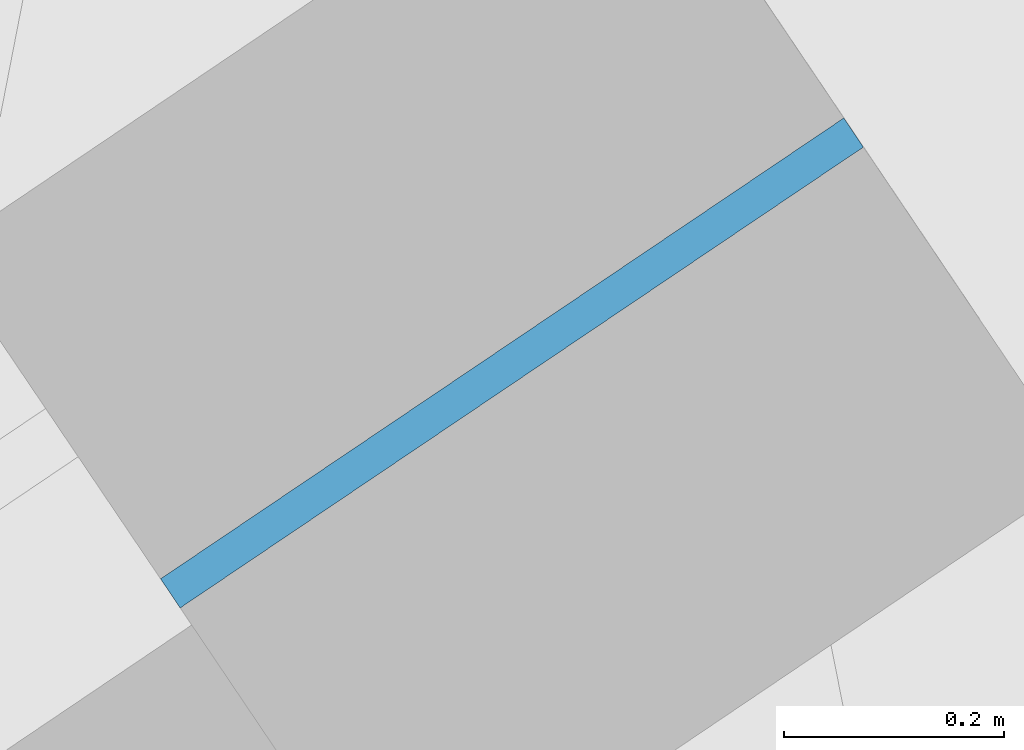
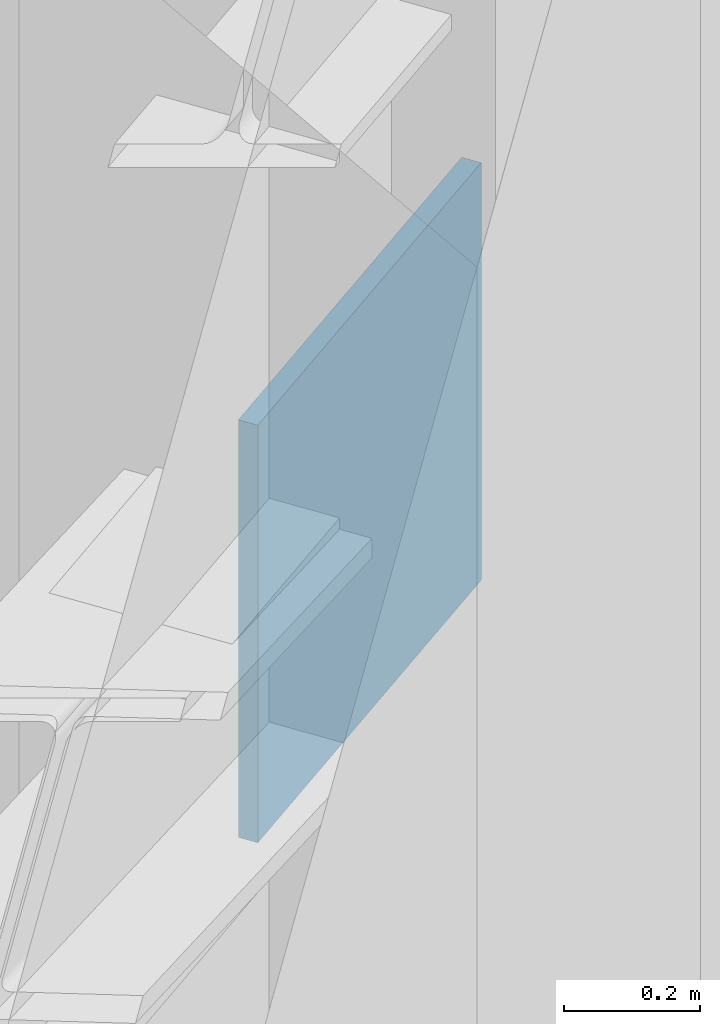
# One storey, part 12 of 21: 1 plate.
"""IFC4 building model written with IfcOpenShell, lengths in metres."""

import ifcopenshell
import ifcopenshell.guid

model = None  # the IFC model being written
_history = None  # IfcOwnerHistory: only IFC2X3 demands one
_inside = {}  # id of a spatial element -> (the spatial element, [elements in it])
_under = {}  # id of a project, library or spatial element -> (it, [spatial elements below it])
_declared = {}  # id of a project -> (the project, [libraries it declares])
_typed = {}  # id of a type object -> (the type object, [elements of that type])
_made_of = {}  # id of a material, layer set ... -> (it, [elements and type objects made of it])


def new_model(schema):
    """Start an empty IFC model of exactly this schema.

    Asked for "IFC4X3", IfcOpenShell would pick the latest addendum, in which some entities
    have other attributes; the version numbers below select the first issue.
    IFC2X3 requires an IfcOwnerHistory on every rooted entity: one is made here for all.
    """
    global model, _history
    if schema == "IFC4X3":
        model = ifcopenshell.file(schema_version=(4, 3, 0, 0))
    else:
        model = ifcopenshell.file(schema=schema)
    _inside.clear()
    _under.clear()
    _declared.clear()
    _typed.clear()
    _made_of.clear()
    _history = None
    if model.schema == "IFC2X3":
        org = make("IfcOrganization", Name="unknown")
        user = make(
            "IfcPersonAndOrganization",
            ThePerson=make("IfcPerson", FamilyName="unknown"),
            TheOrganization=org,
        )
        app = make(
            "IfcApplication",
            ApplicationDeveloper=org,
            Version="unknown",
            ApplicationFullName="unknown",
            ApplicationIdentifier="unknown",
        )
        _history = make(
            "IfcOwnerHistory",
            OwningUser=user,
            OwningApplication=app,
            ChangeAction="ADDED",
            CreationDate=0,
        )
    return model


def make(cls, **values):
    """One entity of the class cls with the attributes given. An attribute that is None is left unset."""
    return model.create_entity(
        cls, **{name: value for name, value in values.items() if value is not None}
    )


def rooted(cls, **values):
    """An entity with a GlobalId (a new one), such as an element, a storey or a relation."""
    return make(cls, GlobalId=ifcopenshell.guid.new(), OwnerHistory=_history, **values)


def si_unit(unit_type, name, prefix=None):
    """IfcSIUnit, for example si_unit("LENGTHUNIT", "METRE", prefix="MILLI")."""
    return make("IfcSIUnit", UnitType=unit_type, Prefix=prefix, Name=name)


def assignment(units):
    """IfcUnitAssignment: the units of a project."""
    return None if units is None else make("IfcUnitAssignment", Units=units)


def point(xyz):
    """IfcCartesianPoint."""
    return None if xyz is None else make("IfcCartesianPoint", Coordinates=xyz)


def direction(xyz):
    """IfcDirection."""
    return None if xyz is None else make("IfcDirection", DirectionRatios=xyz)


def frame(location, z_axis=None, x_axis=None):
    """IfcAxis2Placement3D, a coordinate frame: its origin and axes. An axis left out is left unset."""
    return make(
        "IfcAxis2Placement3D",
        Location=point(location),
        Axis=direction(z_axis),
        RefDirection=direction(x_axis),
    )


def frame_2d(location, x_axis=None):
    """IfcAxis2Placement2D, a coordinate frame in the plane: its origin and x axis."""
    return make(
        "IfcAxis2Placement2D", Location=point(location), RefDirection=direction(x_axis)
    )


def origin():
    """The frame at (0, 0, 0) with its axes left unset."""
    return frame((0.0, 0.0, 0.0))


def origin_2d():
    """The frame at (0, 0) in the plane with its x axis left unset."""
    return frame_2d((0.0, 0.0))


def place(relative_to, where):
    """IfcLocalPlacement: puts the frame where relative to a parent placement (None: the world)."""
    return make(
        "IfcLocalPlacement", PlacementRelTo=relative_to, RelativePlacement=where
    )


def context(
    kind, dimensions, precision=None, world=None, true_north=None, identifier=None
):
    """IfcGeometricRepresentationContext, for example the 3D "Model" context."""
    return make(
        "IfcGeometricRepresentationContext",
        ContextIdentifier=identifier,
        ContextType=kind,
        CoordinateSpaceDimension=dimensions,
        Precision=precision,
        WorldCoordinateSystem=world,
        TrueNorth=true_north,
    )


def subcontext(parent, identifier, kind, view, scale=None):
    """IfcGeometricRepresentationSubContext, for example "Body" below "Model"."""
    return make(
        "IfcGeometricRepresentationSubContext",
        ContextIdentifier=identifier,
        ContextType=kind,
        ParentContext=parent,
        TargetScale=scale,
        TargetView=view,
    )


def project(units=None, contexts=None):
    """IfcProject with its units and contexts."""
    return rooted(
        "IfcProject",
        Name="project",
        RepresentationContexts=contexts,
        UnitsInContext=assignment(units),
    )


def spatial(cls, under=None, at=None, **own):
    """A site, building, storey or space (cls), placed at a placement, below another one or the project."""
    s = rooted(cls, ObjectPlacement=at, **own)
    if under is not None:
        _under.setdefault(under.id(), (under, []))[1].append(s)
    return s


def profile(cls, at=None, kind="AREA", **sizes):
    """A parametric profile (cls). Its sizes go by their IFC names, for example OverallWidth=200.0."""
    return make(cls, ProfileType=kind, Position=at, **sizes)


def rectangle(**sizes):
    """IfcRectangleProfileDef."""
    return profile("IfcRectangleProfileDef", **sizes)


def extrude(swept, where, along, depth):
    """IfcExtrudedAreaSolid: the profile swept, set in the frame where, extruded along a direction by depth."""
    return make(
        "IfcExtrudedAreaSolid",
        SweptArea=swept,
        Position=where,
        ExtrudedDirection=direction(along),
        Depth=depth,
    )


def shape(context_of_items, identifier, shape_type, items):
    """IfcShapeRepresentation: the items that make up one representation, for example the "Body"."""
    return make(
        "IfcShapeRepresentation",
        ContextOfItems=context_of_items,
        RepresentationIdentifier=identifier,
        RepresentationType=shape_type,
        Items=items,
    )


def source(mapping_origin, context_of_items, identifier, shape_type, items):
    """IfcRepresentationMap: a shape defined once, which mapped items show again and again."""
    return make(
        "IfcRepresentationMap",
        MappingOrigin=mapping_origin,
        MappedRepresentation=shape(context_of_items, identifier, shape_type, items),
    )


def transform(
    local_origin,
    x_axis=None,
    y_axis=None,
    z_axis=None,
    scale=None,
    scale2=None,
    scale3=None,
    uniform=True,
):
    """IfcCartesianTransformationOperator3D, or its non-uniform kind. x_axis, y_axis, z_axis: its Axis1, 2, 3."""
    if uniform:
        return make(
            "IfcCartesianTransformationOperator3D",
            Axis1=direction(x_axis),
            Axis2=direction(y_axis),
            LocalOrigin=point(local_origin),
            Scale=scale,
            Axis3=direction(z_axis),
        )
    return make(
        "IfcCartesianTransformationOperator3DnonUniform",
        Axis1=direction(x_axis),
        Axis2=direction(y_axis),
        LocalOrigin=point(local_origin),
        Scale=scale,
        Axis3=direction(z_axis),
        Scale2=scale2,
        Scale3=scale3,
    )


def mapped(mapping_source, mapping_target):
    """IfcMappedItem: shows the shape of a source again, moved by a transform."""
    return make(
        "IfcMappedItem", MappingSource=mapping_source, MappingTarget=mapping_target
    )


def material(Name=None, Category=None):
    """IfcMaterial."""
    return make("IfcMaterial", Name=Name, Category=Category)


def layer(
    of_material, thickness, ventilated=None, Name=None, Category=None, Priority=None
):
    """IfcMaterialLayer: one layer of a wall or slab, of a material (None: an air gap)."""
    return make(
        "IfcMaterialLayer",
        Material=of_material,
        LayerThickness=thickness,
        IsVentilated=ventilated,
        Name=Name,
        Category=Category,
        Priority=Priority,
    )


def layer_set(layers, Name=None):
    """IfcMaterialLayerSet."""
    return make("IfcMaterialLayerSet", MaterialLayers=layers, LayerSetName=Name)


def made_of(thing, what):
    """Note that an element or type object is made of a material, layer set ...; save() writes the relation."""
    if what is not None:
        _made_of.setdefault(what.id(), (what, []))[1].append(thing)
    return thing


def type_object(cls, material=None, **own):
    """A type object (cls), such as IfcWallType, which elements share."""
    return made_of(rooted(cls, **own), material)


def element(
    cls,
    number,
    at=None,
    inside=None,
    cuts=None,
    type_object=None,
    material=None,
    context=None,
    identifier="Body",
    shape_type=None,
    held_by="IfcProductDefinitionShape",
    body=None,
    shapes=None,
    **own,
):
    """One element of the class cls, such as IfcWall. Its Tag is "e" and its number.

    at: its placement. inside: the storey or other place that contains it. cuts: it is an
    opening in that element (IfcRelVoidsElement). A single representation is given by context,
    identifier, shape_type and body (its items); several are given by shapes. held_by: the class
    of the entity that holds the representations. save() writes the other relations.
    """
    e = rooted(cls, Tag="e%d" % number, ObjectPlacement=at, **own)
    if body is not None:
        shapes = [shape(context, identifier, shape_type, body)]
    if shapes is not None:
        e.Representation = make(held_by, Representations=shapes)
    if inside is not None:
        _inside.setdefault(inside.id(), (inside, []))[1].append(e)
    if cuts is not None:
        rooted(
            "IfcRelVoidsElement", RelatingBuildingElement=cuts, RelatedOpeningElement=e
        )
    if type_object is not None:
        _typed.setdefault(type_object.id(), (type_object, []))[1].append(e)
    return made_of(e, material)


def aggregate(whole, parts):
    """IfcRelAggregates: a whole, such as a stair, and the parts it consists of."""
    return rooted("IfcRelAggregates", RelatingObject=whole, RelatedObjects=parts)


def save(model, path):
    """Write the relations noted so far, then the file.

    IfcRelAggregates (storeys below a building ...), IfcRelContainedInSpatialStructure (elements
    in a storey), IfcRelDefinesByType, IfcRelAssociatesMaterial and IfcRelDeclares: one each for
    every whole, place, type object, material and project.
    """
    for whole, parts in _under.values():
        aggregate(whole, parts)
    for where, things in _inside.values():
        rooted(
            "IfcRelContainedInSpatialStructure",
            RelatedElements=things,
            RelatingStructure=where,
        )
    for kind, things in _typed.values():
        rooted("IfcRelDefinesByType", RelatedObjects=things, RelatingType=kind)
    for what, things in _made_of.values():
        rooted("IfcRelAssociatesMaterial", RelatedObjects=things, RelatingMaterial=what)
    for by, libraries in _declared.values():
        rooted("IfcRelDeclares", RelatingContext=by, RelatedDefinitions=libraries)
    model.write(path)


model = new_model("IFC4")

# Units and contexts
model_context = context("Model", 3, precision=1e-05, world=origin(), true_north=direction((0.0, 1.0)))
body_context = subcontext(model_context, "Body", "Model", "MODEL_VIEW")
ifc_project = project(units=[si_unit("LENGTHUNIT", "METRE"), si_unit("AREAUNIT", "SQUARE_METRE"), si_unit("VOLUMEUNIT", "CUBIC_METRE"), si_unit("PLANEANGLEUNIT", "RADIAN"), si_unit("MASSUNIT", "GRAM", prefix="KILO"), si_unit("THERMODYNAMICTEMPERATUREUNIT", "KELVIN")], contexts=[model_context])

# Site, building, storey
site_placement = place(None, origin())
site = spatial("IfcSite", under=ifc_project, at=site_placement, CompositionType="ELEMENT")
building_placement = place(site_placement, origin())
building = spatial("IfcBuilding", under=site, at=building_placement, Name="Kosmvard Interchange Tower", CompositionType="ELEMENT")
storey_placement = place(building_placement, frame((0.0, 0.0, 139.199951171875)))
storey = spatial("IfcBuildingStorey", under=building, at=storey_placement, Name="L33", CompositionType="ELEMENT", Elevation=139.199951171875)

# Plate
ifc_material = material(Name="Steel S460", Category="steel")
ifc_layer = layer(ifc_material, 0.031982421875, Name="Steel S460")
ifc_layer_set = layer_set([ifc_layer], Name="Steel S460")
plate_type = type_object("IfcPlateType", Name="Belt Truss Gusset Plate 1100x1100x32 S460", PredefinedType="USERDEFINED", material=ifc_layer_set)
shared_shape = source(origin(), body_context, "Body", "SweptSolid", [
    extrude(rectangle(XDim=0.75, YDim=0.031982421875, at=origin_2d()), origin(), (0.0, 0.0, 1.0), 0.75),
])
plate_placement = place(storey_placement, frame((30.734130859375, -9.575927734375, 2.445068359375), z_axis=(0.0, 0.0, 1.0), x_axis=(0.829037572555, 0.559192903471, 0.0)))
element("IfcPlate", 1, at=plate_placement, inside=storey, type_object=plate_type, Name="L33 Belt Truss End Gusset Plate BBS", ObjectType="GUSSET_PLATE", PredefinedType="USERDEFINED", context=body_context, shape_type="MappedRepresentation", body=[
    mapped(shared_shape, transform((0.0, 0.0, 0.0), scale=1.0)),
])

save(model, "model.ifc")
